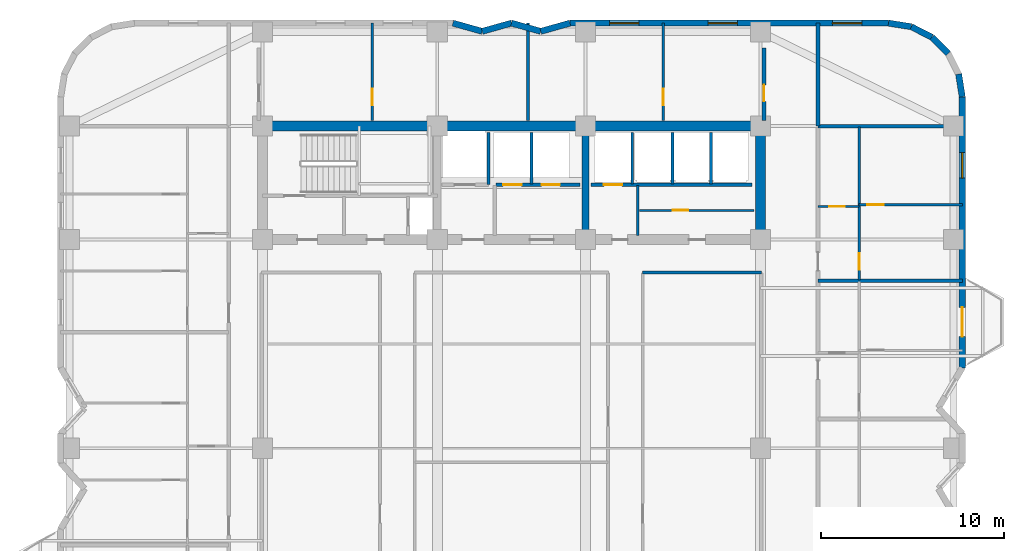
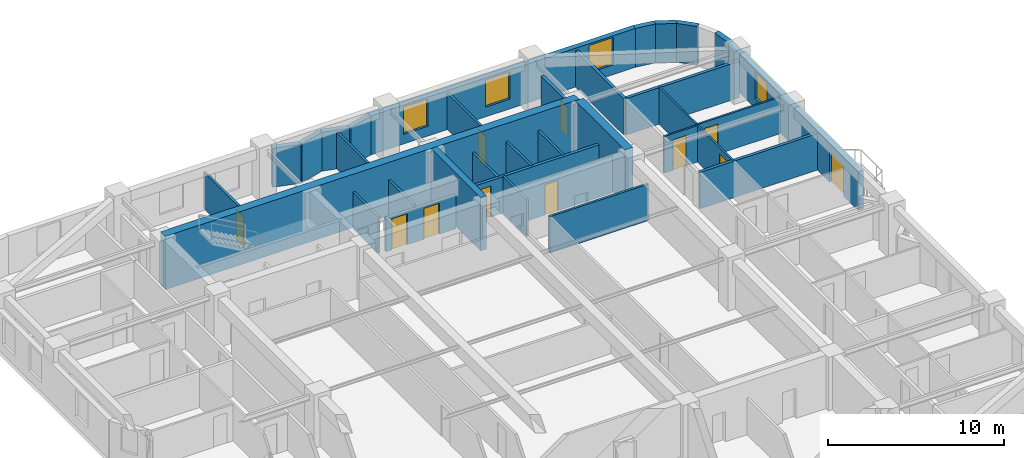
# One storey, part 7 of 10: 33 walls, 11 doors, 4 windows, 15 openings.
"""IFC4 building model written with IfcOpenShell, lengths in metres."""

from ifc_helpers import new_model, si_unit, direction, frame, frame_2d, origin, place, context, subcontext, project, spatial, rectangle, extrude, material, layer, layer_set, type_object, element, fill, save


model = new_model("IFC4")

# Units and contexts
model_context = context("Model", 3, precision=1e-05, world=origin(), true_north=direction((0.0, 1.0)))
body_context = subcontext(model_context, "Body", "Model", "MODEL_VIEW")
ifc_project = project(units=[si_unit("LENGTHUNIT", "METRE"), si_unit("AREAUNIT", "SQUARE_METRE"), si_unit("VOLUMEUNIT", "CUBIC_METRE"), si_unit("PLANEANGLEUNIT", "RADIAN"), si_unit("MASSUNIT", "GRAM", prefix="KILO")], contexts=[model_context])

# Site, building, storey
site_placement = place(None, origin())
site = spatial("IfcSite", under=ifc_project, at=site_placement, CompositionType="ELEMENT")
building_placement = place(site_placement, origin())
building = spatial("IfcBuilding", under=site, at=building_placement, Name="Svetorya Sky Lyceum", CompositionType="ELEMENT")
storey_placement = place(building_placement, frame((0.0, 0.0, 114.199951171875)))
storey = spatial("IfcBuildingStorey", under=building, at=storey_placement, Name="L28", CompositionType="ELEMENT", Elevation=114.199951171875)

# Walls
ifc_material_1 = material(Name="Concrete C40/50", Category="concrete")
ifc_layer_1 = layer(ifc_material_1, 0.39990234375)
ifc_layer_set_1 = layer_set([ifc_layer_1], Name="Concrete C40/50")
wall_type_1 = type_object("IfcWallType", Name="WL-CORE-400", PredefinedType="SHEAR", material=ifc_layer_set_1)
wall_1_placement = place(storey_placement, frame((43.25, 39.875, 0.0), z_axis=(0.0, 0.0, 1.0), x_axis=(0.0, 1.0, 0.0)))
element("IfcWall", 1, at=wall_1_placement, inside=storey, type_object=wall_type_1, Name="L28 NC Internal Shear Web WEB2", PredefinedType="SHEAR", context=body_context, shape_type="SweptSolid", body=[
    extrude(rectangle(XDim=5.64990234375, YDim=0.39990234375, at=frame_2d((2.824951171875, 0.0))), origin(), (0.0, 0.0, 1.0), 3.699951171875),
])
ifc_material_2 = material(Name="Concrete C60/75", Category="concrete")
ifc_layer_2 = layer(ifc_material_2, 0.550048828125)
ifc_layer_set_2 = layer_set([ifc_layer_2], Name="Concrete C60/75")
wall_type_2 = type_object("IfcWallType", Name="WL-CORE-550", PredefinedType="SHEAR", material=ifc_layer_set_2)
wall_2_placement = place(storey_placement, frame((25.60009765625, 45.800048828125, 0.0), z_axis=(0.0, 0.0, 1.0), x_axis=(1.0, 0.0, 0.0)))
element("IfcWall", 2, at=wall_2_placement, inside=storey, type_object=wall_type_2, Name="L28 NC Outer Core Shear Wall", PredefinedType="SHEAR", context=body_context, shape_type="SweptSolid", body=[
    extrude(rectangle(XDim=27.199951171875, YDim=0.550048828125, at=frame_2d((13.60009765625, 0.0))), origin(), (0.0, 0.0, 1.0), 3.699951171875),
])
wall_3_placement = place(storey_placement, frame((52.800048828125, 39.875, 0.0), z_axis=(0.0, 0.0, 1.0), x_axis=(0.0, 1.0, 0.0)))
element("IfcWall", 3, at=wall_3_placement, inside=storey, type_object=wall_type_2, Name="L28 NC East Core Shear Wall", PredefinedType="SHEAR", context=body_context, shape_type="SweptSolid", body=[
    extrude(rectangle(XDim=5.64990234375, YDim=0.550048828125, at=frame_2d((2.824951171875, 0.0))), origin(), (0.0, 0.0, 1.0), 3.699951171875),
])

# Wall, openings, door, window
ifc_material_3 = material(Name="Putilovo limestone rainscreen on autoclaved cellular masonry", Category="masonry")
ifc_layer_3 = layer(ifc_material_3, 0.340087890625)
ifc_layer_set_3 = layer_set([ifc_layer_3], Name="Putilovo limestone rainscreen on autoclaved cellular masonry")
wall_type_3 = type_object("IfcWallType", Name="WL-EXT-340", PredefinedType="SOLIDWALL", material=ifc_layer_set_3)
wall_4_placement = place(storey_placement, frame((63.830078125, 32.60009765625, 0.0), z_axis=(0.0, 0.0, 1.0), x_axis=(0.0, 1.0, 0.0)))
wall_4 = element("IfcWall", 4, at=wall_4_placement, inside=storey, type_object=wall_type_3, Name="L28 Limestone Exterior Wall 23M", PredefinedType="SOLIDWALL", context=body_context, shape_type="SweptSolid", body=[
    extrude(rectangle(XDim=14.7998046875, YDim=0.340087890625, at=frame_2d((7.39990234375, 0.0))), origin(), (0.0, 0.0, 1.0), 2.699951171875),
])
opening_1_placement = place(wall_4_placement, frame((1.699951171875, 0.0, 0.0)))
opening_1 = element("IfcOpeningElement", 5, at=opening_1_placement, cuts=wall_4, Name="Opening D-BL1", PredefinedType="OPENING", context=body_context, shape_type="SweptSolid", body=[
    extrude(rectangle(XDim=1.60009765625, YDim=2.10009765625, at=frame_2d((0.800048828125, 1.050048828125))), frame((0.0, 0.179931640625, 0.0), z_axis=(0.0, -1.0, 0.0), x_axis=(1.0, 0.0, 0.0)), (0.0, 0.0, 1.0), 0.360107421875),
])
opening_2_placement = place(wall_4_placement, frame((10.360107421875, 0.0, 0.68994140625)))
opening_2 = element("IfcOpeningElement", 6, at=opening_2_placement, cuts=wall_4, Name="Opening W-R2", PredefinedType="OPENING", context=body_context, shape_type="SweptSolid", body=[
    extrude(rectangle(XDim=1.39990234375, YDim=1.85009765625, at=frame_2d((0.699951171875, 0.925048828125))), frame((0.0, 0.179931640625, 0.0), z_axis=(0.0, -1.0, 0.0), x_axis=(1.0, 0.0, 0.0)), (0.0, 0.0, 1.0), 0.360107421875),
])
ifc_material_4 = material(Name="Insulated glazed aluminium balcony door", Category="aluminium")
door_type_1 = type_object("IfcDoorType", Name="DR-BAL-1600", OperationType="DOUBLE_DOOR_SINGLE_SWING", PredefinedType="DOOR", material=ifc_material_4)
door_1_placement = place(opening_1_placement, origin())
door_1 = element("IfcDoor", 7, at=door_1_placement, inside=storey, type_object=door_type_1, Name="L28 Balcony BAL-E1 Door", OperationType="DOUBLE_DOOR_SINGLE_SWING", OverallHeight=2.10009765625, OverallWidth=1.60009765625, PredefinedType="DOOR", context=body_context, shape_type="SweptSolid", body=[
    extrude(rectangle(XDim=1.60009765625, YDim=2.10009765625, at=frame_2d((0.800048828125, 1.050048828125))), frame((0.0, 0.02490234375, 0.0), z_axis=(0.0, -1.0, 0.0), x_axis=(1.0, 0.0, 0.0)), (0.0, 0.0, 1.0), 0.050048828125),
])
fill(opening_1, door_1)
ifc_material_5 = material(Name="Thermally broken aluminium frame with triple low-E glazing", Category="aluminium")
window_type_1 = type_object("IfcWindowType", Name="WN-RES-140", PartitioningType="SINGLE_PANEL", PredefinedType="WINDOW", material=ifc_material_5)
window_1_placement = place(opening_2_placement, origin())
window_1 = element("IfcWindow", 8, at=window_1_placement, inside=storey, type_object=window_type_1, Name="L28 Facade Window W-R2.23M.1", OverallHeight=1.85009765625, OverallWidth=1.39990234375, PartitioningType="SINGLE_PANEL", PredefinedType="WINDOW", context=body_context, shape_type="SweptSolid", body=[
    extrude(rectangle(XDim=1.39990234375, YDim=1.85009765625, at=frame_2d((0.699951171875, 0.925048828125))), frame((0.0, 0.030029296875, 0.0), z_axis=(0.0, -1.0, 0.0), x_axis=(1.0, 0.0, 0.0)), (0.0, 0.0, 1.0), 0.06005859375),
])
fill(opening_2, window_1)

# Walls
for number, where, z_axis, x_axis, name in (
    (9, (63.830078125, 47.39990234375, 0.0), (0.0, 0.0, 1.0), (-0.15644975923, 0.987685918112, 0.0), "L28 Limestone Exterior Wall 24M"),
    (10, (63.060302734375, 49.768798828125, 0.0), (0.0, 0.0, 1.0), (-0.707106781187, 0.707106781187, 0.0), "L28 Limestone Exterior Wall 26M"),
):
    element("IfcWall", number, at=place(storey_placement, frame(where, z_axis=z_axis, x_axis=x_axis)), inside=storey, type_object=wall_type_3, Name=name, PredefinedType="SOLIDWALL", context=body_context, shape_type="SweptSolid", body=[
        extrude(rectangle(XDim=1.260986328125, YDim=0.340087890625, at=frame_2d((0.63037109375, 0.0))), origin(), (0.0, 0.0, 1.0), 2.699951171875),
    ])
for number, where, z_axis, x_axis, name in (
    (11, (62.168701171875, 50.660400390625, 0.0), (0.0, 0.0, 1.0), (-0.890953769915, 0.454094020963, 0.0), "L28 Limestone Exterior Wall 27M"),
    (12, (61.04541015625, 51.23291015625, 0.0), (0.0, 0.0, 1.0), (-0.98771582066, 0.156260864002, 0.0), "L28 Limestone Exterior Wall 28M"),
):
    element("IfcWall", number, at=place(storey_placement, frame(where, z_axis=z_axis, x_axis=x_axis)), inside=storey, type_object=wall_type_3, Name=name, PredefinedType="SOLIDWALL", context=body_context, shape_type="SweptSolid", body=[
        extrude(rectangle(XDim=1.2607421875, YDim=0.340087890625, at=frame_2d((0.63037109375, 0.0))), origin(), (0.0, 0.0, 1.0), 2.699951171875),
    ])

# Wall, openings, windows
wall_5_placement = place(storey_placement, frame((59.800048828125, 51.429931640625, 0.0), z_axis=(0.0, 0.0, 1.0), x_axis=(-1.0, 0.0, 0.0)))
wall_5 = element("IfcWall", 13, at=wall_5_placement, inside=storey, type_object=wall_type_3, Name="L28 Limestone Exterior Wall 29M", PredefinedType="SOLIDWALL", context=body_context, shape_type="SweptSolid", body=[
    extrude(rectangle(XDim=17.400146484375, YDim=0.340087890625, at=frame_2d((8.7001953125, 0.0))), origin(), (0.0, 0.0, 1.0), 2.699951171875),
])
opening_3_placement = place(wall_5_placement, frame((1.4599609375, 0.0, 0.679931640625)))
opening_3 = element("IfcOpeningElement", 14, at=opening_3_placement, cuts=wall_5, Name="Opening W-R4", PredefinedType="OPENING", context=body_context, shape_type="SweptSolid", body=[
    extrude(rectangle(XDim=1.60009765625, YDim=1.89990234375, at=frame_2d((0.800048828125, 0.949951171875))), frame((0.0, 0.179931640625, 0.0), z_axis=(0.0, -1.0, 0.0), x_axis=(1.0, 0.0, 0.0)), (0.0, 0.0, 1.0), 0.360107421875),
])
opening_4_placement = place(wall_5_placement, frame((8.25, 0.0, 0.679931640625)))
opening_4 = element("IfcOpeningElement", 15, at=opening_4_placement, cuts=wall_5, Name="Opening W-R4", PredefinedType="OPENING", context=body_context, shape_type="SweptSolid", body=[
    extrude(rectangle(XDim=1.60009765625, YDim=1.89990234375, at=frame_2d((0.800048828125, 0.949951171875))), frame((0.0, 0.179931640625, 0.0), z_axis=(0.0, -1.0, 0.0), x_axis=(1.0, 0.0, 0.0)), (0.0, 0.0, 1.0), 0.360107421875),
])
opening_5_placement = place(wall_5_placement, frame((13.639892578125, 0.0, 0.679931640625)))
opening_5 = element("IfcOpeningElement", 16, at=opening_5_placement, cuts=wall_5, Name="Opening W-R4", PredefinedType="OPENING", context=body_context, shape_type="SweptSolid", body=[
    extrude(rectangle(XDim=1.60009765625, YDim=1.89990234375, at=frame_2d((0.800048828125, 0.949951171875))), frame((0.0, 0.179931640625, 0.0), z_axis=(0.0, -1.0, 0.0), x_axis=(1.0, 0.0, 0.0)), (0.0, 0.0, 1.0), 0.360107421875),
])
window_type_2 = type_object("IfcWindowType", Name="WN-RES-160", PartitioningType="DOUBLE_PANEL_VERTICAL", PredefinedType="WINDOW", material=ifc_material_5)
window_2_placement = place(opening_3_placement, origin())
window_2 = element("IfcWindow", 17, at=window_2_placement, inside=storey, type_object=window_type_2, Name="L28 Facade Window W-R4.29M.1", OverallHeight=1.89990234375, OverallWidth=1.60009765625, PartitioningType="SINGLE_PANEL", PredefinedType="WINDOW", context=body_context, shape_type="SweptSolid", body=[
    extrude(rectangle(XDim=1.60009765625, YDim=1.89990234375, at=frame_2d((0.800048828125, 0.949951171875))), frame((0.0, 0.030029296875, 0.0), z_axis=(0.0, -1.0, 0.0), x_axis=(1.0, 0.0, 0.0)), (0.0, 0.0, 1.0), 0.06005859375),
])
fill(opening_3, window_2)
window_3_placement = place(opening_4_placement, origin())
window_3 = element("IfcWindow", 18, at=window_3_placement, inside=storey, type_object=window_type_2, Name="L28 Facade Window W-R4.29M.2", OverallHeight=1.89990234375, OverallWidth=1.60009765625, PartitioningType="SINGLE_PANEL", PredefinedType="WINDOW", context=body_context, shape_type="SweptSolid", body=[
    extrude(rectangle(XDim=1.60009765625, YDim=1.89990234375, at=frame_2d((0.800048828125, 0.949951171875))), frame((0.0, 0.030029296875, 0.0), z_axis=(0.0, -1.0, 0.0), x_axis=(1.0, 0.0, 0.0)), (0.0, 0.0, 1.0), 0.06005859375),
])
fill(opening_4, window_3)
window_4_placement = place(opening_5_placement, origin())
window_4 = element("IfcWindow", 19, at=window_4_placement, inside=storey, type_object=window_type_2, Name="L28 Facade Window W-R4.29M.3", OverallHeight=1.89990234375, OverallWidth=1.60009765625, PartitioningType="SINGLE_PANEL", PredefinedType="WINDOW", context=body_context, shape_type="SweptSolid", body=[
    extrude(rectangle(XDim=1.60009765625, YDim=1.89990234375, at=frame_2d((0.800048828125, 0.949951171875))), frame((0.0, 0.030029296875, 0.0), z_axis=(0.0, -1.0, 0.0), x_axis=(1.0, 0.0, 0.0)), (0.0, 0.0, 1.0), 0.06005859375),
])
fill(opening_5, window_4)

# Walls
wall_6_placement = place(storey_placement, frame((42.39990234375, 51.429931640625, 0.0), z_axis=(0.0, 0.0, 1.0), x_axis=(-0.962652136636, -0.270741322725, 0.0)))
element("IfcWall", 20, at=wall_6_placement, inside=storey, type_object=wall_type_3, Name="L28 Limestone Exterior Wall 30M", PredefinedType="SOLIDWALL", context=body_context, shape_type="SweptSolid", body=[
    extrude(rectangle(XDim=1.661865234375, YDim=0.340087890625, at=frame_2d((0.8310546875, 0.0))), origin(), (0.0, 0.0, 1.0), 2.699951171875),
])
wall_7_placement = place(storey_placement, frame((40.800048828125, 50.97998046875, 0.0), z_axis=(0.0, 0.0, 1.0), x_axis=(-0.962662902433, 0.270703040766, 0.0)))
element("IfcWall", 21, at=wall_7_placement, inside=storey, type_object=wall_type_3, Name="L28 Limestone Exterior Wall 31M", PredefinedType="SOLIDWALL", context=body_context, shape_type="SweptSolid", body=[
    extrude(rectangle(XDim=1.662109375, YDim=0.340087890625, at=frame_2d((0.8310546875, 0.0))), origin(), (0.0, 0.0, 1.0), 2.699951171875),
])
wall_8_placement = place(storey_placement, frame((39.199951171875, 51.429931640625, 0.0), z_axis=(0.0, 0.0, 1.0), x_axis=(-0.962652136636, -0.270741322725, 0.0)))
element("IfcWall", 22, at=wall_8_placement, inside=storey, type_object=wall_type_3, Name="L28 Limestone Exterior Wall 32M", PredefinedType="SOLIDWALL", context=body_context, shape_type="SweptSolid", body=[
    extrude(rectangle(XDim=1.661865234375, YDim=0.340087890625, at=frame_2d((0.8310546875, 0.0))), origin(), (0.0, 0.0, 1.0), 2.699951171875),
])
wall_9_placement = place(storey_placement, frame((37.60009765625, 50.97998046875, 0.0), z_axis=(0.0, 0.0, 1.0), x_axis=(-0.962662902433, 0.270703040766, 0.0)))
element("IfcWall", 23, at=wall_9_placement, inside=storey, type_object=wall_type_3, Name="L28 Limestone Exterior Wall 33M", PredefinedType="SOLIDWALL", context=body_context, shape_type="SweptSolid", body=[
    extrude(rectangle(XDim=1.662109375, YDim=0.340087890625, at=frame_2d((0.8310546875, 0.0))), origin(), (0.0, 0.0, 1.0), 2.699951171875),
])

# Wall, opening, door
ifc_material_6 = material(Name="Twin-stud galvanized framing with double fireboard", Category="gypsum")
ifc_layer_4 = layer(ifc_material_6, 0.1201171875)
ifc_layer_set_4 = layer_set([ifc_layer_4], Name="Twin-stud galvanized framing with double fireboard")
wall_type_4 = type_object("IfcWallType", Name="WL-PART-120", PredefinedType="PARTITIONING", material=ifc_layer_set_4)
wall_10_placement = place(storey_placement, frame((46.199951171875, 41.199951171875, 0.0), z_axis=(0.0, 0.0, 1.0), x_axis=(1.0, 0.0, 0.0)))
wall_10 = element("IfcWall", 24, at=wall_10_placement, inside=storey, type_object=wall_type_4, Name="L28 Interior Partition NC-Z2EH", PredefinedType="PARTITIONING", context=body_context, shape_type="SweptSolid", body=[
    extrude(rectangle(XDim=6.25, YDim=0.1201171875, at=frame_2d((3.125, 0.0))), origin(), (0.0, 0.0, 1.0), 2.530029296875),
])
opening_6_placement = place(wall_10_placement, frame((1.800048828125, 0.0, 0.0)))
opening_6 = element("IfcOpeningElement", 25, at=opening_6_placement, cuts=wall_10, Name="Opening D-CWC1", PredefinedType="OPENING", context=body_context, shape_type="SweptSolid", body=[
    extrude(rectangle(XDim=0.85009765625, YDim=2.10009765625, at=frame_2d((0.425048828125, 1.050048828125))), frame((0.0, 0.070068359375, 0.0), z_axis=(0.0, -1.0, 0.0), x_axis=(1.0, 0.0, 0.0)), (0.0, 0.0, 1.0), 0.14013671875),
])
ifc_material_7 = material(Name="Fire-rated galvanized steel core service closet door", Category="steel")
door_type_2 = type_object("IfcDoorType", Name="DR-CWET-850", OperationType="SINGLE_SWING_LEFT", PredefinedType="DOOR", material=ifc_material_7)
door_2_placement = place(opening_6_placement, origin())
door_2 = element("IfcDoor", 26, at=door_2_placement, inside=storey, type_object=door_type_2, Name="L28 Rear Mid-Rise Store Door", OperationType="SINGLE_SWING_LEFT", OverallHeight=2.10009765625, OverallWidth=0.85009765625, PredefinedType="DOOR", context=body_context, shape_type="SweptSolid", body=[
    extrude(rectangle(XDim=0.85009765625, YDim=2.10009765625, at=frame_2d((0.425048828125, 1.050048828125))), frame((0.0, 0.02490234375, 0.0), z_axis=(0.0, -1.0, 0.0), x_axis=(1.0, 0.0, 0.0)), (0.0, 0.0, 1.0), 0.050048828125),
])
fill(opening_6, door_2)

wall_11_placement = place(storey_placement, frame((55.949951171875, 41.412109375, 0.0), z_axis=(0.0, 0.0, 1.0), x_axis=(1.0, 0.0, 0.0)))
wall_11 = element("IfcWall", 27, at=wall_11_placement, inside=storey, type_object=wall_type_4, Name="L28 Interior Partition E4-WH1", PredefinedType="PARTITIONING", context=body_context, shape_type="SweptSolid", body=[
    extrude(rectangle(XDim=2.25, YDim=0.1201171875, at=frame_2d((1.125, 0.0))), origin(), (0.0, 0.0, 1.0), 2.530029296875),
])
opening_7_placement = place(wall_11_placement, frame((0.60009765625, 0.0, 0.0)))
opening_7 = element("IfcOpeningElement", 28, at=opening_7_placement, cuts=wall_11, Name="Opening D-BT1", PredefinedType="OPENING", context=body_context, shape_type="SweptSolid", body=[
    extrude(rectangle(XDim=0.85009765625, YDim=2.10009765625, at=frame_2d((0.425048828125, 1.050048828125))), frame((0.0, 0.070068359375, 0.0), z_axis=(0.0, -1.0, 0.0), x_axis=(1.0, 0.0, 0.0)), (0.0, 0.0, 1.0), 0.14013671875),
])
ifc_material_8 = material(Name="Moisture-resistant laminate bathroom door")
door_type_3 = type_object("IfcDoorType", Name="DR-WET-850", OperationType="SINGLE_SWING_LEFT", PredefinedType="DOOR", material=ifc_material_8)
door_3_placement = place(opening_7_placement, origin())
door_3 = element("IfcDoor", 29, at=door_3_placement, inside=storey, type_object=door_type_3, Name="Apartment E4 Bathroom Door", OperationType="SINGLE_SWING_LEFT", OverallHeight=2.10009765625, OverallWidth=0.85009765625, PredefinedType="DOOR", context=body_context, shape_type="SweptSolid", body=[
    extrude(rectangle(XDim=0.85009765625, YDim=2.10009765625, at=frame_2d((0.425048828125, 1.050048828125))), frame((0.0, 0.02490234375, 0.0), z_axis=(0.0, -1.0, 0.0), x_axis=(1.0, 0.0, 0.0)), (0.0, 0.0, 1.0), 0.050048828125),
])
fill(opening_7, door_3)

wall_12_placement = place(storey_placement, frame((58.199951171875, 41.501953125, 0.0), z_axis=(0.0, 0.0, 1.0), x_axis=(1.0, 0.0, 0.0)))
wall_12 = element("IfcWall", 30, at=wall_12_placement, inside=storey, type_object=wall_type_4, Name="L28 Interior Partition E4-WL1", PredefinedType="PARTITIONING", context=body_context, shape_type="SweptSolid", body=[
    extrude(rectangle(XDim=5.630126953125, YDim=0.1201171875, at=frame_2d((2.81494140625, 0.0))), origin(), (0.0, 0.0, 1.0), 2.530029296875),
])
opening_8_placement = place(wall_12_placement, frame((0.449951171875, 0.0, 0.0)))
opening_8 = element("IfcOpeningElement", 31, at=opening_8_placement, cuts=wall_12, Name="Opening D-RM1", PredefinedType="OPENING", context=body_context, shape_type="SweptSolid", body=[
    extrude(rectangle(XDim=0.89990234375, YDim=2.10009765625, at=frame_2d((0.449951171875, 1.050048828125))), frame((0.0, 0.070068359375, 0.0), z_axis=(0.0, -1.0, 0.0), x_axis=(1.0, 0.0, 0.0)), (0.0, 0.0, 1.0), 0.14013671875),
])
ifc_material_9 = material(Name="Lacquered birch veneer internal door")
door_type_4 = type_object("IfcDoorType", Name="DR-INT-900", OperationType="SINGLE_SWING_LEFT", PredefinedType="DOOR", material=ifc_material_9)
door_4_placement = place(opening_8_placement, origin())
door_4 = element("IfcDoor", 32, at=door_4_placement, inside=storey, type_object=door_type_4, Name="Apartment E4 Bedroom 1 Door", OperationType="SINGLE_SWING_LEFT", OverallHeight=2.10009765625, OverallWidth=0.89990234375, PredefinedType="DOOR", context=body_context, shape_type="SweptSolid", body=[
    extrude(rectangle(XDim=0.89990234375, YDim=2.10009765625, at=frame_2d((0.449951171875, 1.050048828125))), frame((0.0, 0.02490234375, 0.0), z_axis=(0.0, -1.0, 0.0), x_axis=(1.0, 0.0, 0.0)), (0.0, 0.0, 1.0), 0.050048828125),
])
fill(opening_8, door_4)

wall_13_placement = place(storey_placement, frame((58.199951171875, 37.39208984375, 0.0), z_axis=(0.0, 0.0, 1.0), x_axis=(0.0, 1.0, 0.0)))
wall_13 = element("IfcWall", 33, at=wall_13_placement, inside=storey, type_object=wall_type_4, Name="L28 Interior Partition E4-WV", PredefinedType="PARTITIONING", context=body_context, shape_type="SweptSolid", body=[
    extrude(rectangle(XDim=8.367919921875, YDim=0.1201171875, at=frame_2d((4.18408203125, 0.0))), origin(), (0.0, 0.0, 1.0), 2.530029296875),
])
opening_9_placement = place(wall_13_placement, frame((0.56005859375, 0.0, 0.0)))
opening_9 = element("IfcOpeningElement", 34, at=opening_9_placement, cuts=wall_13, Name="Opening D-RM1", PredefinedType="OPENING", context=body_context, shape_type="SweptSolid", body=[
    extrude(rectangle(XDim=0.89990234375, YDim=2.10009765625, at=frame_2d((0.449951171875, 1.050048828125))), frame((0.0, 0.070068359375, 0.0), z_axis=(0.0, -1.0, 0.0), x_axis=(1.0, 0.0, 0.0)), (0.0, 0.0, 1.0), 0.14013671875),
])
door_5_placement = place(opening_9_placement, origin())
door_5 = element("IfcDoor", 35, at=door_5_placement, inside=storey, type_object=door_type_4, Name="Apartment E4 Living Door", OperationType="SINGLE_SWING_RIGHT", OverallHeight=2.10009765625, OverallWidth=0.89990234375, PredefinedType="DOOR", context=body_context, shape_type="SweptSolid", body=[
    extrude(rectangle(XDim=0.89990234375, YDim=2.10009765625, at=frame_2d((0.449951171875, 1.050048828125))), frame((0.0, 0.02490234375, 0.0), z_axis=(0.0, -1.0, 0.0), x_axis=(1.0, 0.0, 0.0)), (0.0, 0.0, 1.0), 0.050048828125),
])
fill(opening_9, door_5)

# Walls
ifc_material_10 = material(Name="Autoclaved cellular masonry blockwork with acoustic render", Category="masonry")
ifc_layer_5 = layer(ifc_material_10, 0.14990234375)
ifc_layer_set_5 = layer_set([ifc_layer_5], Name="Autoclaved cellular masonry blockwork with acoustic render")
wall_type_5 = type_object("IfcWallType", Name="WL-PART-150", PredefinedType="PARTITIONING", material=ifc_layer_set_5)
wall_14_placement = place(storey_placement, frame((37.949951171875, 42.60009765625, 0.0), z_axis=(0.0, 0.0, 1.0), x_axis=(0.0, 1.0, 0.0)))
element("IfcWall", 36, at=wall_14_placement, inside=storey, type_object=wall_type_5, Name="L28 Interior Partition NC-FL1SIDE", PredefinedType="PARTITIONING", context=body_context, shape_type="SweptSolid", body=[
    extrude(rectangle(XDim=2.849853515625, YDim=0.14990234375, at=frame_2d((1.4248046875, 0.0))), origin(), (0.0, 0.0, 1.0), 2.530029296875),
])
for number, where, z_axis, x_axis, name in (
    (37, (40.300048828125, 42.64990234375, 0.0), (0.0, 0.0, 1.0), (0.0, 1.0, 0.0), "L28 Interior Partition NC-PM-D1"),
    (38, (45.800048828125, 42.64990234375, 0.0), (0.0, 0.0, 1.0), (0.0, 1.0, 0.0), "L28 Interior Partition NC-PM3-D"),
    (39, (48.0, 42.64990234375, 0.0), (0.0, 0.0, 1.0), (0.0, 1.0, 0.0), "L28 Interior Partition NC-PH-D1"),
    (40, (50.10009765625, 42.64990234375, 0.0), (0.0, 0.0, 1.0), (0.0, 1.0, 0.0), "L28 Interior Partition NC-PH-D2"),
):
    element("IfcWall", number, at=place(storey_placement, frame(where, z_axis=z_axis, x_axis=x_axis)), inside=storey, type_object=wall_type_5, Name=name, PredefinedType="PARTITIONING", context=body_context, shape_type="SweptSolid", body=[
        extrude(rectangle(XDim=2.800048828125, YDim=0.14990234375, at=frame_2d((1.39990234375, 0.0))), origin(), (0.0, 0.0, 1.0), 2.530029296875),
    ])
wall_15_placement = place(storey_placement, frame((46.10009765625, 39.820068359375, 0.0), z_axis=(0.0, 0.0, 1.0), x_axis=(0.0, 1.0, 0.0)))
element("IfcWall", 41, at=wall_15_placement, inside=storey, type_object=wall_type_5, Name="L28 Interior Partition NC-PM3SEP", PredefinedType="PARTITIONING", context=body_context, shape_type="SweptSolid", body=[
    extrude(rectangle(XDim=2.72998046875, YDim=0.14990234375, at=frame_2d((1.364990234375, 0.0))), origin(), (0.0, 0.0, 1.0), 2.530029296875),
])
wall_16_placement = place(storey_placement, frame((46.35009765625, 37.800048828125, 0.0), z_axis=(0.0, 0.0, 1.0), x_axis=(1.0, 0.0, 0.0)))
element("IfcWall", 42, at=wall_16_placement, inside=storey, type_object=wall_type_5, Name="L28 Interior Partition RL-CN-E", PredefinedType="PARTITIONING", context=body_context, shape_type="SweptSolid", body=[
    extrude(rectangle(XDim=6.5, YDim=0.14990234375, at=frame_2d((3.25, 0.0))), origin(), (0.0, 0.0, 1.0), 2.530029296875),
])

# Wall, opening, door
wall_17_placement = place(storey_placement, frame((31.60009765625, 46.10009765625, 0.0), z_axis=(0.0, 0.0, 1.0), x_axis=(0.0, 1.0, 0.0)))
wall_17 = element("IfcWall", 43, at=wall_17_placement, inside=storey, type_object=wall_type_5, Name="L28 Interior Partition N4-D1", PredefinedType="PARTITIONING", context=body_context, shape_type="SweptSolid", body=[
    extrude(rectangle(XDim=5.329833984375, YDim=0.14990234375, at=frame_2d((2.6650390625, 0.0))), origin(), (0.0, 0.0, 1.0), 2.530029296875),
])
opening_10_placement = place(wall_17_placement, frame((0.85009765625, 0.0, 0.0)))
opening_10 = element("IfcOpeningElement", 44, at=opening_10_placement, cuts=wall_17, Name="Opening D-RM1", PredefinedType="OPENING", context=body_context, shape_type="SweptSolid", body=[
    extrude(rectangle(XDim=0.89990234375, YDim=2.10009765625, at=frame_2d((0.449951171875, 1.050048828125))), frame((0.0, 0.0849609375, 0.0), z_axis=(0.0, -1.0, 0.0), x_axis=(1.0, 0.0, 0.0)), (0.0, 0.0, 1.0), 0.169921875),
])
door_6_placement = place(opening_10_placement, origin())
door_6 = element("IfcDoor", 45, at=door_6_placement, inside=storey, type_object=door_type_4, Name="L28 North Suite Door 1", OperationType="SINGLE_SWING_RIGHT", OverallHeight=2.10009765625, OverallWidth=0.89990234375, PredefinedType="DOOR", context=body_context, shape_type="SweptSolid", body=[
    extrude(rectangle(XDim=0.89990234375, YDim=2.10009765625, at=frame_2d((0.449951171875, 1.050048828125))), frame((0.0, 0.02490234375, 0.0), z_axis=(0.0, -1.0, 0.0), x_axis=(1.0, 0.0, 0.0)), (0.0, 0.0, 1.0), 0.050048828125),
])
fill(opening_10, door_6)

# Wall
wall_18_placement = place(storey_placement, frame((40.10009765625, 46.10009765625, 0.0), z_axis=(0.0, 0.0, 1.0), x_axis=(0.0, 1.0, 0.0)))
element("IfcWall", 46, at=wall_18_placement, inside=storey, type_object=wall_type_5, Name="L28 Interior Partition N4-D2", PredefinedType="PARTITIONING", context=body_context, shape_type="SweptSolid", body=[
    extrude(rectangle(XDim=5.329833984375, YDim=0.14990234375, at=frame_2d((2.6650390625, 0.0))), origin(), (0.0, 0.0, 1.0), 2.530029296875),
])

# Wall, opening, door
wall_19_placement = place(storey_placement, frame((47.5, 46.10009765625, 0.0), z_axis=(0.0, 0.0, 1.0), x_axis=(0.0, 1.0, 0.0)))
wall_19 = element("IfcWall", 47, at=wall_19_placement, inside=storey, type_object=wall_type_5, Name="L28 Interior Partition N4-D3", PredefinedType="PARTITIONING", context=body_context, shape_type="SweptSolid", body=[
    extrude(rectangle(XDim=5.329833984375, YDim=0.14990234375, at=frame_2d((2.6650390625, 0.0))), origin(), (0.0, 0.0, 1.0), 2.530029296875),
])
opening_11_placement = place(wall_19_placement, frame((0.85009765625, 0.0, 0.0)))
opening_11 = element("IfcOpeningElement", 48, at=opening_11_placement, cuts=wall_19, Name="Opening D-RM1", PredefinedType="OPENING", context=body_context, shape_type="SweptSolid", body=[
    extrude(rectangle(XDim=0.89990234375, YDim=2.10009765625, at=frame_2d((0.449951171875, 1.050048828125))), frame((0.0, 0.0849609375, 0.0), z_axis=(0.0, -1.0, 0.0), x_axis=(1.0, 0.0, 0.0)), (0.0, 0.0, 1.0), 0.169921875),
])
door_7_placement = place(opening_11_placement, origin())
door_7 = element("IfcDoor", 49, at=door_7_placement, inside=storey, type_object=door_type_4, Name="L28 North Suite Door 3", OperationType="SINGLE_SWING_RIGHT", OverallHeight=2.10009765625, OverallWidth=0.89990234375, PredefinedType="DOOR", context=body_context, shape_type="SweptSolid", body=[
    extrude(rectangle(XDim=0.89990234375, YDim=2.10009765625, at=frame_2d((0.449951171875, 1.050048828125))), frame((0.0, 0.02490234375, 0.0), z_axis=(0.0, -1.0, 0.0), x_axis=(1.0, 0.0, 0.0)), (0.0, 0.0, 1.0), 0.050048828125),
])
fill(opening_11, door_7)

# Wall, openings, doors
ifc_material_11 = material(Name="Autoclaved cellular masonry blockwork with gypsum plaster", Category="masonry")
ifc_layer_6 = layer(ifc_material_11, 0.199951171875)
ifc_layer_set_6 = layer_set([ifc_layer_6], Name="Autoclaved cellular masonry blockwork with gypsum plaster")
wall_type_6 = type_object("IfcWallType", Name="WL-PART-200", PredefinedType="PARTITIONING", material=ifc_layer_set_6)
wall_20_placement = place(storey_placement, frame((42.949951171875, 42.60009765625, 0.0), z_axis=(0.0, 0.0, 1.0), x_axis=(-1.0, 0.0, 0.0)))
wall_20 = element("IfcWall", 50, at=wall_20_placement, inside=storey, type_object=wall_type_6, Name="L28 Interior Partition NC-PM12W", PredefinedType="PARTITIONING", context=body_context, shape_type="SweptSolid", body=[
    extrude(rectangle(XDim=4.599853515625, YDim=0.199951171875, at=frame_2d((2.2998046875, 0.0))), origin(), (0.0, 0.0, 1.0), 2.300048828125),
])
opening_12_placement = place(wall_20_placement, frame((3.199951171875, 0.0, 0.0)))
opening_12 = element("IfcOpeningElement", 51, at=opening_12_placement, cuts=wall_20, Name="Opening LD-P1", PredefinedType="OPENING", context=body_context, shape_type="SweptSolid", body=[
    extrude(rectangle(XDim=1.0, YDim=2.14990234375, at=frame_2d((0.5, 1.074951171875))), frame((0.0, 0.10986328125, 0.0), z_axis=(0.0, -1.0, 0.0), x_axis=(1.0, 0.0, 0.0)), (0.0, 0.0, 1.0), 0.219970703125),
])
opening_13_placement = place(wall_20_placement, frame((1.10009765625, 0.0, 0.0)))
opening_13 = element("IfcOpeningElement", 52, at=opening_13_placement, cuts=wall_20, Name="Opening LD-P1", PredefinedType="OPENING", context=body_context, shape_type="SweptSolid", body=[
    extrude(rectangle(XDim=1.0, YDim=2.14990234375, at=frame_2d((0.5, 1.074951171875))), frame((0.0, 0.10986328125, 0.0), z_axis=(0.0, -1.0, 0.0), x_axis=(1.0, 0.0, 0.0)), (0.0, 0.0, 1.0), 0.219970703125),
])
ifc_material_12 = material(Name="Champagne-anodized stainless passenger lift landing door")
door_type_5 = type_object("IfcDoorType", Name="DR-LIFT-1000", OperationType="SLIDING_TO_LEFT", PredefinedType="DOOR", material=ifc_material_12)
door_8_placement = place(opening_12_placement, origin())
door_8 = element("IfcDoor", 53, at=door_8_placement, inside=storey, type_object=door_type_5, Name="L28 Passenger Lift PM1 Landing Door", OperationType="SLIDING_TO_LEFT", OverallHeight=2.14990234375, OverallWidth=1.0, PredefinedType="DOOR", context=body_context, shape_type="SweptSolid", body=[
    extrude(rectangle(XDim=1.0, YDim=2.14990234375, at=frame_2d((0.5, 1.074951171875))), frame((0.0, 0.02490234375, 0.0), z_axis=(0.0, -1.0, 0.0), x_axis=(1.0, 0.0, 0.0)), (0.0, 0.0, 1.0), 0.050048828125),
])
fill(opening_12, door_8)
door_9_placement = place(opening_13_placement, origin())
door_9 = element("IfcDoor", 54, at=door_9_placement, inside=storey, type_object=door_type_5, Name="L28 Passenger Lift PM2 Landing Door", OperationType="SLIDING_TO_LEFT", OverallHeight=2.14990234375, OverallWidth=1.0, PredefinedType="DOOR", context=body_context, shape_type="SweptSolid", body=[
    extrude(rectangle(XDim=1.0, YDim=2.14990234375, at=frame_2d((0.5, 1.074951171875))), frame((0.0, 0.02490234375, 0.0), z_axis=(0.0, -1.0, 0.0), x_axis=(1.0, 0.0, 0.0)), (0.0, 0.0, 1.0), 0.050048828125),
])
fill(opening_13, door_9)

# Wall, opening, door
wall_21_placement = place(storey_placement, frame((52.35009765625, 42.60009765625, 0.0), z_axis=(0.0, 0.0, 1.0), x_axis=(-1.0, 0.0, 0.0)))
wall_21 = element("IfcWall", 55, at=wall_21_placement, inside=storey, type_object=wall_type_6, Name="L28 Interior Partition NC-PHEW", PredefinedType="PARTITIONING", context=body_context, shape_type="SweptSolid", body=[
    extrude(rectangle(XDim=8.800048828125, YDim=0.199951171875, at=frame_2d((4.39990234375, 0.0))), origin(), (0.0, 0.0, 1.0), 2.530029296875),
])
opening_14_placement = place(wall_21_placement, frame((7.10009765625, 0.0, 0.0)))
opening_14 = element("IfcOpeningElement", 56, at=opening_14_placement, cuts=wall_21, Name="Opening LD-P1", PredefinedType="OPENING", context=body_context, shape_type="SweptSolid", body=[
    extrude(rectangle(XDim=1.0, YDim=2.14990234375, at=frame_2d((0.5, 1.074951171875))), frame((0.0, 0.10986328125, 0.0), z_axis=(0.0, -1.0, 0.0), x_axis=(1.0, 0.0, 0.0)), (0.0, 0.0, 1.0), 0.219970703125),
])
door_10_placement = place(opening_14_placement, origin())
door_10 = element("IfcDoor", 57, at=door_10_placement, inside=storey, type_object=door_type_5, Name="L28 Passenger Lift PM3 Landing Door", OperationType="SLIDING_TO_LEFT", OverallHeight=2.14990234375, OverallWidth=1.0, PredefinedType="DOOR", context=body_context, shape_type="SweptSolid", body=[
    extrude(rectangle(XDim=1.0, YDim=2.14990234375, at=frame_2d((0.5, 1.074951171875))), frame((0.0, 0.02490234375, 0.0), z_axis=(0.0, -1.0, 0.0), x_axis=(1.0, 0.0, 0.0)), (0.0, 0.0, 1.0), 0.050048828125),
])
fill(opening_14, door_10)

# Walls
wall_22_placement = place(storey_placement, frame((55.949951171875, 37.35205078125, 0.0), z_axis=(0.0, 0.0, 1.0), x_axis=(1.0, 0.0, 0.0)))
element("IfcWall", 58, at=wall_22_placement, inside=storey, type_object=wall_type_6, Name="L28 Interior Partition E-PARTY-3", PredefinedType="PARTITIONING", context=body_context, shape_type="SweptSolid", body=[
    extrude(rectangle(XDim=7.880126953125, YDim=0.199951171875, at=frame_2d((3.93994140625, 0.0))), origin(), (0.0, 0.0, 1.0), 2.530029296875),
])
wall_23_placement = place(storey_placement, frame((55.949951171875, 45.800048828125, 0.0), z_axis=(0.0, 0.0, 1.0), x_axis=(1.0, 0.0, 0.0)))
element("IfcWall", 59, at=wall_23_placement, inside=storey, type_object=wall_type_6, Name="L28 Interior Partition E-CAP-N", PredefinedType="PARTITIONING", context=body_context, shape_type="SweptSolid", body=[
    extrude(rectangle(XDim=7.4599609375, YDim=0.199951171875, at=frame_2d((3.72998046875, 0.0))), origin(), (0.0, 0.0, 1.0), 2.530029296875),
])
wall_24_placement = place(storey_placement, frame((55.949951171875, 45.800048828125, 0.0), z_axis=(0.0, 0.0, 1.0), x_axis=(0.0, 1.0, 0.0)))
element("IfcWall", 60, at=wall_24_placement, inside=storey, type_object=wall_type_6, Name="L28 Interior Partition EC-NE-END", PredefinedType="PARTITIONING", context=body_context, shape_type="SweptSolid", body=[
    extrude(rectangle(XDim=5.6298828125, YDim=0.199951171875, at=frame_2d((2.81494140625, 0.0))), origin(), (0.0, 0.0, 1.0), 2.530029296875),
])

# Wall, opening, door
wall_25_placement = place(storey_placement, frame((53.0, 46.10009765625, 0.0), z_axis=(0.0, 0.0, 1.0), x_axis=(0.0, 1.0, 0.0)))
wall_25 = element("IfcWall", 61, at=wall_25_placement, inside=storey, type_object=wall_type_6, Name="L28 Interior Partition N4-EE", PredefinedType="PARTITIONING", context=body_context, shape_type="SweptSolid", body=[
    extrude(rectangle(XDim=3.97998046875, YDim=0.199951171875, at=frame_2d((1.989990234375, 0.0))), origin(), (0.0, 0.0, 1.0), 2.530029296875),
])
opening_15_placement = place(wall_25_placement, frame((1.050048828125, 0.0, 0.0)))
opening_15 = element("IfcOpeningElement", 62, at=opening_15_placement, cuts=wall_25, Name="Opening D-RM1", PredefinedType="OPENING", context=body_context, shape_type="SweptSolid", body=[
    extrude(rectangle(XDim=0.89990234375, YDim=2.10009765625, at=frame_2d((0.449951171875, 1.050048828125))), frame((0.0, 0.10986328125, 0.0), z_axis=(0.0, -1.0, 0.0), x_axis=(1.0, 0.0, 0.0)), (0.0, 0.0, 1.0), 0.219970703125),
])
door_11_placement = place(opening_15_placement, origin())
door_11 = element("IfcDoor", 63, at=door_11_placement, inside=storey, type_object=door_type_4, Name="L28 NE Office Door", OperationType="SINGLE_SWING_LEFT", OverallHeight=2.10009765625, OverallWidth=0.89990234375, PredefinedType="DOOR", context=body_context, shape_type="SweptSolid", body=[
    extrude(rectangle(XDim=0.89990234375, YDim=2.10009765625, at=frame_2d((0.449951171875, 1.050048828125))), frame((0.0, 0.02490234375, 0.0), z_axis=(0.0, -1.0, 0.0), x_axis=(1.0, 0.0, 0.0)), (0.0, 0.0, 1.0), 0.050048828125),
])
fill(opening_15, door_11)

save(model, "model.ifc")
